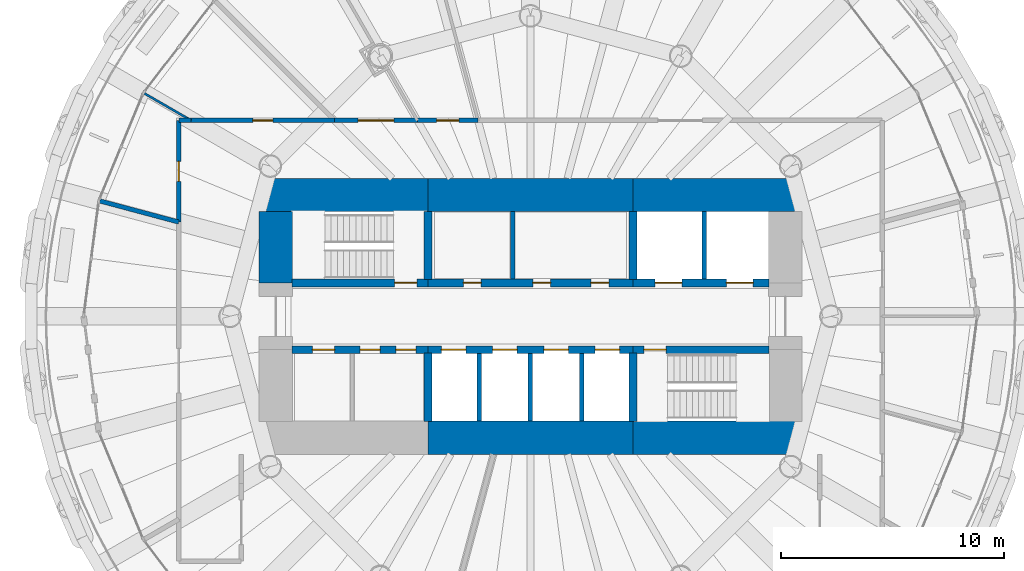
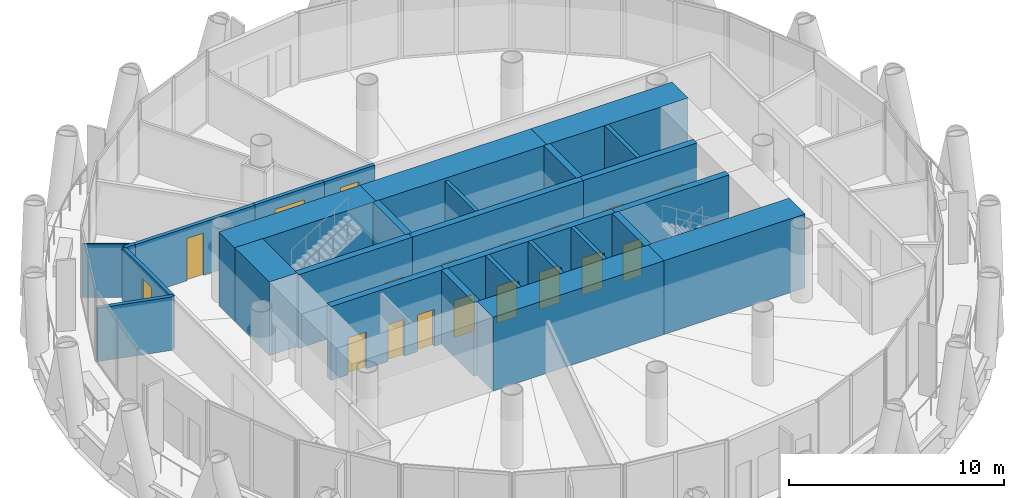
# One storey, part 10 of 15: 28 walls, 18 doors, 18 openings.
"""IFC4 building model written with IfcOpenShell, lengths in metres."""

from ifc_helpers import new_model, si_unit, direction, frame, frame_2d, origin, place, context, subcontext, project, spatial, rectangle, extrude, material, layer, layer_set, type_object, element, fill, save


model = new_model("IFC4")

# Units and contexts
model_context = context("Model", 3, precision=1e-05, world=origin(), true_north=direction((0.0, 1.0)))
body_context = subcontext(model_context, "Body", "Model", "MODEL_VIEW")
ifc_project = project(units=[si_unit("LENGTHUNIT", "METRE"), si_unit("AREAUNIT", "SQUARE_METRE"), si_unit("VOLUMEUNIT", "CUBIC_METRE"), si_unit("PLANEANGLEUNIT", "RADIAN"), si_unit("MASSUNIT", "GRAM", prefix="KILO")], contexts=[model_context])

# Site, building, storey
site_placement = place(None, origin())
site = spatial("IfcSite", under=ifc_project, at=site_placement, CompositionType="ELEMENT")
building_placement = place(site_placement, origin())
building = spatial("IfcBuilding", under=site, at=building_placement, Name="Qaws Media Tower", CompositionType="ELEMENT")
storey_placement = place(building_placement, frame((0.0, 0.0, 231.800048828125)))
storey = spatial("IfcBuildingStorey", under=building, at=storey_placement, Name="L53", CompositionType="ELEMENT", Elevation=231.800048828125)

# Wall, opening, door
ifc_material_1 = material(Name="Concrete C60/75", Category="concrete")
ifc_layer_1 = layer(ifc_material_1, 0.35009765625)
ifc_layer_set_1 = layer_set([ifc_layer_1], Name="Core inner wall 350")
wall_type_1 = type_object("IfcWallType", Name="Core inner wall 350", PredefinedType="SHEAR", material=ifc_layer_set_1)
wall_1_placement = place(storey_placement, frame((49.280029296875, 51.5, 0.0), z_axis=(0.0, 0.0, 1.0), x_axis=(1.0, 0.0, 0.0)))
wall_1 = element("IfcWall", 1, at=wall_1_placement, inside=storey, type_object=wall_type_1, Name="W301 SW5 core wall SPNW L53", PredefinedType="SHEAR", context=body_context, shape_type="SweptSolid", body=[
    extrude(rectangle(XDim=6.119873046875, YDim=0.35009765625, at=frame_2d((3.06005859375, 0.0))), origin(), (0.0, 0.0, 1.0), 4.199951171875),
])
opening_1_placement = place(wall_1_placement, frame((4.6201171875, 0.0, 0.0)))
opening_1 = element("IfcOpeningElement", 2, at=opening_1_placement, cuts=wall_1, Name="Opening D1", PredefinedType="OPENING", context=body_context, shape_type="SweptSolid", body=[
    extrude(rectangle(XDim=1.0, YDim=2.10009765625, at=frame_2d((0.5, 1.050048828125))), frame((0.0, 0.18505859375, 0.0), z_axis=(0.0, -1.0, 0.0), x_axis=(1.0, 0.0, 0.0)), (0.0, 0.0, 1.0), 0.3701171875),
])
ifc_material_2 = material(Name="Steel, fire rated", Category="steel")
door_type_1 = type_object("IfcDoorType", Name="Stair door 1000 FD120", OperationType="SINGLE_SWING_LEFT", PredefinedType="DOOR", material=ifc_material_2)
door_1_placement = place(opening_1_placement, origin())
door_1 = element("IfcDoor", 3, at=door_1_placement, inside=storey, type_object=door_type_1, Name="D1 stair S1 door L53 in wall W301", OperationType="SINGLE_SWING_LEFT", OverallHeight=2.10009765625, OverallWidth=1.0, PredefinedType="DOOR", context=body_context, shape_type="SweptSolid", body=[
    extrude(rectangle(XDim=1.0, YDim=2.10009765625, at=frame_2d((0.5, 1.050048828125))), frame((0.0, 0.02490234375, 0.0), z_axis=(0.0, -1.0, 0.0), x_axis=(1.0, 0.0, 0.0)), (0.0, 0.0, 1.0), 0.050048828125),
])
fill(opening_1, door_1)

# Wall, openings, doors
wall_2_placement = place(storey_placement, frame((55.39990234375, 51.5, 0.0), z_axis=(0.0, 0.0, 1.0), x_axis=(1.0, 0.0, 0.0)))
wall_2 = element("IfcWall", 4, at=wall_2_placement, inside=storey, type_object=wall_type_1, Name="W304 SW5 core wall SPN L53", PredefinedType="SHEAR", context=body_context, shape_type="SweptSolid", body=[
    extrude(rectangle(XDim=9.2001953125, YDim=0.35009765625, at=frame_2d((4.60009765625, 0.0))), origin(), (0.0, 0.0, 1.0), 4.199951171875),
])
opening_2_placement = place(wall_2_placement, frame((1.585205078125, 0.0, 0.0)))
opening_2 = element("IfcOpeningElement", 5, at=opening_2_placement, cuts=wall_2, Name="Opening D23", PredefinedType="OPENING", context=body_context, shape_type="SweptSolid", body=[
    extrude(rectangle(XDim=0.800048828125, YDim=2.10009765625, at=frame_2d((0.39990234375, 1.050048828125))), frame((0.0, 0.18505859375, 0.0), z_axis=(0.0, -1.0, 0.0), x_axis=(1.0, 0.0, 0.0)), (0.0, 0.0, 1.0), 0.3701171875),
])
opening_3_placement = place(wall_2_placement, frame((4.702880859375, 0.0, 0.0)))
opening_3 = element("IfcOpeningElement", 6, at=opening_3_placement, cuts=wall_2, Name="Opening D23", PredefinedType="OPENING", context=body_context, shape_type="SweptSolid", body=[
    extrude(rectangle(XDim=0.800048828125, YDim=2.10009765625, at=frame_2d((0.39990234375, 1.050048828125))), frame((0.0, 0.18505859375, 0.0), z_axis=(0.0, -1.0, 0.0), x_axis=(1.0, 0.0, 0.0)), (0.0, 0.0, 1.0), 0.3701171875),
])
opening_4_placement = place(wall_2_placement, frame((7.317626953125, 0.0, 0.0)))
opening_4 = element("IfcOpeningElement", 7, at=opening_4_placement, cuts=wall_2, Name="Opening D23", PredefinedType="OPENING", context=body_context, shape_type="SweptSolid", body=[
    extrude(rectangle(XDim=0.800048828125, YDim=2.10009765625, at=frame_2d((0.39990234375, 1.050048828125))), frame((0.0, 0.18505859375, 0.0), z_axis=(0.0, -1.0, 0.0), x_axis=(1.0, 0.0, 0.0)), (0.0, 0.0, 1.0), 0.3701171875),
])
ifc_material_3 = material(Name="Steel, fire rated", Category="steel")
door_type_2 = type_object("IfcDoorType", Name="Core room door 800x2100", OperationType="SINGLE_SWING_LEFT", PredefinedType="DOOR", material=ifc_material_3)
door_2_placement = place(opening_2_placement, origin())
door_2 = element("IfcDoor", 8, at=door_2_placement, inside=storey, type_object=door_type_2, Name="D23 Ladies toilets door L53 in wall W304", OperationType="SINGLE_SWING_LEFT", OverallHeight=2.10009765625, OverallWidth=0.800048828125, PredefinedType="DOOR", context=body_context, shape_type="SweptSolid", body=[
    extrude(rectangle(XDim=0.800048828125, YDim=2.10009765625, at=frame_2d((0.39990234375, 1.050048828125))), frame((0.0, 0.02490234375, 0.0), z_axis=(0.0, -1.0, 0.0), x_axis=(1.0, 0.0, 0.0)), (0.0, 0.0, 1.0), 0.050048828125),
])
fill(opening_2, door_2)
door_3_placement = place(opening_3_placement, origin())
door_3 = element("IfcDoor", 9, at=door_3_placement, inside=storey, type_object=door_type_2, Name="D23 Gents toilets door L53 2 in wall W304", OperationType="SINGLE_SWING_LEFT", OverallHeight=2.10009765625, OverallWidth=0.800048828125, PredefinedType="DOOR", context=body_context, shape_type="SweptSolid", body=[
    extrude(rectangle(XDim=0.800048828125, YDim=2.10009765625, at=frame_2d((0.39990234375, 1.050048828125))), frame((0.0, 0.02490234375, 0.0), z_axis=(0.0, -1.0, 0.0), x_axis=(1.0, 0.0, 0.0)), (0.0, 0.0, 1.0), 0.050048828125),
])
fill(opening_3, door_3)
door_4_placement = place(opening_4_placement, origin())
door_4 = element("IfcDoor", 10, at=door_4_placement, inside=storey, type_object=door_type_2, Name="D23 Gents toilets door L53 3 in wall W304", OperationType="SINGLE_SWING_LEFT", OverallHeight=2.10009765625, OverallWidth=0.800048828125, PredefinedType="DOOR", context=body_context, shape_type="SweptSolid", body=[
    extrude(rectangle(XDim=0.800048828125, YDim=2.10009765625, at=frame_2d((0.39990234375, 1.050048828125))), frame((0.0, 0.02490234375, 0.0), z_axis=(0.0, -1.0, 0.0), x_axis=(1.0, 0.0, 0.0)), (0.0, 0.0, 1.0), 0.050048828125),
])
fill(opening_4, door_4)

wall_3_placement = place(storey_placement, frame((64.60009765625, 51.5, 0.0), z_axis=(0.0, 0.0, 1.0), x_axis=(1.0, 0.0, 0.0)))
wall_3 = element("IfcWall", 11, at=wall_3_placement, inside=storey, type_object=wall_type_1, Name="W308 SW5 core wall SPNE L53", PredefinedType="SHEAR", context=body_context, shape_type="SweptSolid", body=[
    extrude(rectangle(XDim=6.119873046875, YDim=0.35009765625, at=frame_2d((3.06005859375, 0.0))), origin(), (0.0, 0.0, 1.0), 4.199951171875),
])
opening_5_placement = place(wall_3_placement, frame((1.0, 0.0, 0.0)))
opening_5 = element("IfcOpeningElement", 12, at=opening_5_placement, cuts=wall_3, Name="Opening LD2", PredefinedType="OPENING", context=body_context, shape_type="SweptSolid", body=[
    extrude(rectangle(XDim=1.199951171875, YDim=2.10009765625, at=frame_2d((0.60009765625, 1.050048828125))), frame((0.0, 0.18505859375, 0.0), z_axis=(0.0, -1.0, 0.0), x_axis=(1.0, 0.0, 0.0)), (0.0, 0.0, 1.0), 0.3701171875),
])
opening_6_placement = place(wall_3_placement, frame((4.199951171875, 0.0, 0.0)))
opening_6 = element("IfcOpeningElement", 13, at=opening_6_placement, cuts=wall_3, Name="Opening LD2", PredefinedType="OPENING", context=body_context, shape_type="SweptSolid", body=[
    extrude(rectangle(XDim=1.199951171875, YDim=2.10009765625, at=frame_2d((0.60009765625, 1.050048828125))), frame((0.0, 0.18505859375, 0.0), z_axis=(0.0, -1.0, 0.0), x_axis=(1.0, 0.0, 0.0)), (0.0, 0.0, 1.0), 0.3701171875),
])
ifc_material_4 = material(Name="Steel, fire rated", Category="steel")
door_type_3 = type_object("IfcDoorType", Name="Lift landing door 1200", OperationType="SLIDING_TO_LEFT", PredefinedType="DOOR", material=ifc_material_4)
door_5_placement = place(opening_5_placement, origin())
door_5 = element("IfcDoor", 14, at=door_5_placement, inside=storey, type_object=door_type_3, Name="FL1 landing door L53 in wall W308", OperationType="SLIDING_TO_LEFT", OverallHeight=2.10009765625, OverallWidth=1.199951171875, PredefinedType="DOOR", context=body_context, shape_type="SweptSolid", body=[
    extrude(rectangle(XDim=1.199951171875, YDim=2.10009765625, at=frame_2d((0.60009765625, 1.050048828125))), frame((0.0, 0.02490234375, 0.0), z_axis=(0.0, -1.0, 0.0), x_axis=(1.0, 0.0, 0.0)), (0.0, 0.0, 1.0), 0.050048828125),
])
fill(opening_5, door_5)
door_6_placement = place(opening_6_placement, origin())
door_6 = element("IfcDoor", 15, at=door_6_placement, inside=storey, type_object=door_type_3, Name="FL2 landing door L53 in wall W308", OperationType="SLIDING_TO_LEFT", OverallHeight=2.10009765625, OverallWidth=1.199951171875, PredefinedType="DOOR", context=body_context, shape_type="SweptSolid", body=[
    extrude(rectangle(XDim=1.199951171875, YDim=2.10009765625, at=frame_2d((0.60009765625, 1.050048828125))), frame((0.0, 0.02490234375, 0.0), z_axis=(0.0, -1.0, 0.0), x_axis=(1.0, 0.0, 0.0)), (0.0, 0.0, 1.0), 0.050048828125),
])
fill(opening_6, door_6)

wall_4_placement = place(storey_placement, frame((49.280029296875, 48.5, 0.0), z_axis=(0.0, 0.0, 1.0), x_axis=(1.0, 0.0, 0.0)))
wall_4 = element("IfcWall", 16, at=wall_4_placement, inside=storey, type_object=wall_type_1, Name="W300 SW5 core wall SPSW L53", PredefinedType="SHEAR", context=body_context, shape_type="SweptSolid", body=[
    extrude(rectangle(XDim=6.119873046875, YDim=0.35009765625, at=frame_2d((3.06005859375, 0.0))), origin(), (0.0, 0.0, 1.0), 4.199951171875),
])
opening_7_placement = place(wall_4_placement, frame((0.919921875, 0.0, 0.0)))
opening_7 = element("IfcOpeningElement", 17, at=opening_7_placement, cuts=wall_4, Name="Opening D4", PredefinedType="OPENING", context=body_context, shape_type="SweptSolid", body=[
    extrude(rectangle(XDim=1.0, YDim=2.10009765625, at=frame_2d((0.5, 1.050048828125))), frame((0.0, 0.18505859375, 0.0), z_axis=(0.0, -1.0, 0.0), x_axis=(1.0, 0.0, 0.0)), (0.0, 0.0, 1.0), 0.3701171875),
])
opening_8_placement = place(wall_4_placement, frame((3.070068359375, 0.0, 0.0)))
opening_8 = element("IfcOpeningElement", 18, at=opening_8_placement, cuts=wall_4, Name="Opening D3", PredefinedType="OPENING", context=body_context, shape_type="SweptSolid", body=[
    extrude(rectangle(XDim=0.89990234375, YDim=2.10009765625, at=frame_2d((0.449951171875, 1.050048828125))), frame((0.0, 0.18505859375, 0.0), z_axis=(0.0, -1.0, 0.0), x_axis=(1.0, 0.0, 0.0)), (0.0, 0.0, 1.0), 0.3701171875),
])
opening_9_placement = place(wall_4_placement, frame((4.669921875, 0.0, 0.0)))
opening_9 = element("IfcOpeningElement", 19, at=opening_9_placement, cuts=wall_4, Name="Opening D3", PredefinedType="OPENING", context=body_context, shape_type="SweptSolid", body=[
    extrude(rectangle(XDim=0.89990234375, YDim=2.10009765625, at=frame_2d((0.449951171875, 1.050048828125))), frame((0.0, 0.18505859375, 0.0), z_axis=(0.0, -1.0, 0.0), x_axis=(1.0, 0.0, 0.0)), (0.0, 0.0, 1.0), 0.3701171875),
])
ifc_material_5 = material(Name="Timber veneered", Category="wood")
door_type_4 = type_object("IfcDoorType", Name="Accessible WC door 1000", OperationType="SLIDING_TO_LEFT", PredefinedType="DOOR", material=ifc_material_5)
door_7_placement = place(opening_7_placement, origin())
door_7 = element("IfcDoor", 20, at=door_7_placement, inside=storey, type_object=door_type_4, Name="D4 toilet door 1 L53 in wall W300", OperationType="SLIDING_TO_LEFT", OverallHeight=2.10009765625, OverallWidth=1.0, PredefinedType="DOOR", context=body_context, shape_type="SweptSolid", body=[
    extrude(rectangle(XDim=1.0, YDim=2.10009765625, at=frame_2d((0.5, 1.050048828125))), frame((0.0, 0.02490234375, 0.0), z_axis=(0.0, -1.0, 0.0), x_axis=(1.0, 0.0, 0.0)), (0.0, 0.0, 1.0), 0.050048828125),
])
fill(opening_7, door_7)
ifc_material_6 = material(Name="Timber veneered", Category="wood")
door_type_5 = type_object("IfcDoorType", Name="Toilet door 900", OperationType="SINGLE_SWING_RIGHT", PredefinedType="DOOR", material=ifc_material_6)
door_8_placement = place(opening_8_placement, origin())
door_8 = element("IfcDoor", 21, at=door_8_placement, inside=storey, type_object=door_type_5, Name="D3 toilet door 2 L53 in wall W300", OperationType="SINGLE_SWING_RIGHT", OverallHeight=2.10009765625, OverallWidth=0.89990234375, PredefinedType="DOOR", context=body_context, shape_type="SweptSolid", body=[
    extrude(rectangle(XDim=0.89990234375, YDim=2.10009765625, at=frame_2d((0.449951171875, 1.050048828125))), frame((0.0, 0.02490234375, 0.0), z_axis=(0.0, -1.0, 0.0), x_axis=(1.0, 0.0, 0.0)), (0.0, 0.0, 1.0), 0.050048828125),
])
fill(opening_8, door_8)
door_9_placement = place(opening_9_placement, origin())
door_9 = element("IfcDoor", 22, at=door_9_placement, inside=storey, type_object=door_type_5, Name="D3 toilet door 3 L53 in wall W300", OperationType="SINGLE_SWING_RIGHT", OverallHeight=2.10009765625, OverallWidth=0.89990234375, PredefinedType="DOOR", context=body_context, shape_type="SweptSolid", body=[
    extrude(rectangle(XDim=0.89990234375, YDim=2.10009765625, at=frame_2d((0.449951171875, 1.050048828125))), frame((0.0, 0.02490234375, 0.0), z_axis=(0.0, -1.0, 0.0), x_axis=(1.0, 0.0, 0.0)), (0.0, 0.0, 1.0), 0.050048828125),
])
fill(opening_9, door_9)

wall_5_placement = place(storey_placement, frame((55.39990234375, 48.5, 0.0), z_axis=(0.0, 0.0, 1.0), x_axis=(1.0, 0.0, 0.0)))
wall_5 = element("IfcWall", 23, at=wall_5_placement, inside=storey, type_object=wall_type_1, Name="W303 SW5 core wall SPS L53", PredefinedType="SHEAR", context=body_context, shape_type="SweptSolid", body=[
    extrude(rectangle(XDim=9.2001953125, YDim=0.35009765625, at=frame_2d((4.60009765625, 0.0))), origin(), (0.0, 0.0, 1.0), 4.199951171875),
])
opening_10_placement = place(wall_5_placement, frame((0.60009765625, 0.0, 0.0)))
opening_10 = element("IfcOpeningElement", 24, at=opening_10_placement, cuts=wall_5, Name="Opening LD", PredefinedType="OPENING", context=body_context, shape_type="SweptSolid", body=[
    extrude(rectangle(XDim=1.10009765625, YDim=2.10009765625, at=frame_2d((0.550048828125, 1.050048828125))), frame((0.0, 0.18505859375, 0.0), z_axis=(0.0, -1.0, 0.0), x_axis=(1.0, 0.0, 0.0)), (0.0, 0.0, 1.0), 0.3701171875),
])
opening_11_placement = place(wall_5_placement, frame((2.89990234375, 0.0, 0.0)))
opening_11 = element("IfcOpeningElement", 25, at=opening_11_placement, cuts=wall_5, Name="Opening LD", PredefinedType="OPENING", context=body_context, shape_type="SweptSolid", body=[
    extrude(rectangle(XDim=1.10009765625, YDim=2.10009765625, at=frame_2d((0.550048828125, 1.050048828125))), frame((0.0, 0.18505859375, 0.0), z_axis=(0.0, -1.0, 0.0), x_axis=(1.0, 0.0, 0.0)), (0.0, 0.0, 1.0), 0.3701171875),
])
opening_12_placement = place(wall_5_placement, frame((5.199951171875, 0.0, 0.0)))
opening_12 = element("IfcOpeningElement", 26, at=opening_12_placement, cuts=wall_5, Name="Opening LD", PredefinedType="OPENING", context=body_context, shape_type="SweptSolid", body=[
    extrude(rectangle(XDim=1.10009765625, YDim=2.10009765625, at=frame_2d((0.550048828125, 1.050048828125))), frame((0.0, 0.18505859375, 0.0), z_axis=(0.0, -1.0, 0.0), x_axis=(1.0, 0.0, 0.0)), (0.0, 0.0, 1.0), 0.3701171875),
])
opening_13_placement = place(wall_5_placement, frame((7.5, 0.0, 0.0)))
opening_13 = element("IfcOpeningElement", 27, at=opening_13_placement, cuts=wall_5, Name="Opening LD", PredefinedType="OPENING", context=body_context, shape_type="SweptSolid", body=[
    extrude(rectangle(XDim=1.10009765625, YDim=2.10009765625, at=frame_2d((0.550048828125, 1.050048828125))), frame((0.0, 0.18505859375, 0.0), z_axis=(0.0, -1.0, 0.0), x_axis=(1.0, 0.0, 0.0)), (0.0, 0.0, 1.0), 0.3701171875),
])
ifc_material_7 = material(Name="Steel, fire rated", Category="steel")
door_type_6 = type_object("IfcDoorType", Name="Lift landing door 1100", OperationType="SLIDING_TO_LEFT", PredefinedType="DOOR", material=ifc_material_7)
door_10_placement = place(opening_10_placement, origin())
door_10 = element("IfcDoor", 28, at=door_10_placement, inside=storey, type_object=door_type_6, Name="P5 landing door L53 in wall W303", OperationType="SLIDING_TO_LEFT", OverallHeight=2.10009765625, OverallWidth=1.10009765625, PredefinedType="DOOR", context=body_context, shape_type="SweptSolid", body=[
    extrude(rectangle(XDim=1.10009765625, YDim=2.10009765625, at=frame_2d((0.550048828125, 1.050048828125))), frame((0.0, 0.02490234375, 0.0), z_axis=(0.0, -1.0, 0.0), x_axis=(1.0, 0.0, 0.0)), (0.0, 0.0, 1.0), 0.050048828125),
])
fill(opening_10, door_10)
door_11_placement = place(opening_11_placement, origin())
door_11 = element("IfcDoor", 29, at=door_11_placement, inside=storey, type_object=door_type_6, Name="P6 landing door L53 in wall W303", OperationType="SLIDING_TO_LEFT", OverallHeight=2.10009765625, OverallWidth=1.10009765625, PredefinedType="DOOR", context=body_context, shape_type="SweptSolid", body=[
    extrude(rectangle(XDim=1.10009765625, YDim=2.10009765625, at=frame_2d((0.550048828125, 1.050048828125))), frame((0.0, 0.02490234375, 0.0), z_axis=(0.0, -1.0, 0.0), x_axis=(1.0, 0.0, 0.0)), (0.0, 0.0, 1.0), 0.050048828125),
])
fill(opening_11, door_11)
door_12_placement = place(opening_12_placement, origin())
door_12 = element("IfcDoor", 30, at=door_12_placement, inside=storey, type_object=door_type_6, Name="P7 landing door L53 in wall W303", OperationType="SLIDING_TO_LEFT", OverallHeight=2.10009765625, OverallWidth=1.10009765625, PredefinedType="DOOR", context=body_context, shape_type="SweptSolid", body=[
    extrude(rectangle(XDim=1.10009765625, YDim=2.10009765625, at=frame_2d((0.550048828125, 1.050048828125))), frame((0.0, 0.02490234375, 0.0), z_axis=(0.0, -1.0, 0.0), x_axis=(1.0, 0.0, 0.0)), (0.0, 0.0, 1.0), 0.050048828125),
])
fill(opening_12, door_12)
door_13_placement = place(opening_13_placement, origin())
door_13 = element("IfcDoor", 31, at=door_13_placement, inside=storey, type_object=door_type_6, Name="P8 landing door L53 in wall W303", OperationType="SLIDING_TO_LEFT", OverallHeight=2.10009765625, OverallWidth=1.10009765625, PredefinedType="DOOR", context=body_context, shape_type="SweptSolid", body=[
    extrude(rectangle(XDim=1.10009765625, YDim=2.10009765625, at=frame_2d((0.550048828125, 1.050048828125))), frame((0.0, 0.02490234375, 0.0), z_axis=(0.0, -1.0, 0.0), x_axis=(1.0, 0.0, 0.0)), (0.0, 0.0, 1.0), 0.050048828125),
])
fill(opening_13, door_13)

# Wall, opening, door
wall_6_placement = place(storey_placement, frame((64.60009765625, 48.5, 0.0), z_axis=(0.0, 0.0, 1.0), x_axis=(1.0, 0.0, 0.0)))
wall_6 = element("IfcWall", 32, at=wall_6_placement, inside=storey, type_object=wall_type_1, Name="W307 SW5 core wall SPSE L53", PredefinedType="SHEAR", context=body_context, shape_type="SweptSolid", body=[
    extrude(rectangle(XDim=6.119873046875, YDim=0.35009765625, at=frame_2d((3.06005859375, 0.0))), origin(), (0.0, 0.0, 1.0), 4.199951171875),
])
opening_14_placement = place(wall_6_placement, frame((0.5, 0.0, 0.0)))
opening_14 = element("IfcOpeningElement", 33, at=opening_14_placement, cuts=wall_6, Name="Opening D1", PredefinedType="OPENING", context=body_context, shape_type="SweptSolid", body=[
    extrude(rectangle(XDim=1.0, YDim=2.10009765625, at=frame_2d((0.5, 1.050048828125))), frame((0.0, 0.18505859375, 0.0), z_axis=(0.0, -1.0, 0.0), x_axis=(1.0, 0.0, 0.0)), (0.0, 0.0, 1.0), 0.3701171875),
])
door_14_placement = place(opening_14_placement, origin())
door_14 = element("IfcDoor", 34, at=door_14_placement, inside=storey, type_object=door_type_1, Name="D1 stair S2 door L53 in wall W307", OperationType="SINGLE_SWING_LEFT", OverallHeight=2.10009765625, OverallWidth=1.0, PredefinedType="DOOR", context=body_context, shape_type="SweptSolid", body=[
    extrude(rectangle(XDim=1.0, YDim=2.10009765625, at=frame_2d((0.5, 1.050048828125))), frame((0.0, 0.02490234375, 0.0), z_axis=(0.0, -1.0, 0.0), x_axis=(1.0, 0.0, 0.0)), (0.0, 0.0, 1.0), 0.050048828125),
])
fill(opening_14, door_14)

# Walls
for number, where, z_axis, x_axis, name in (
    (35, (55.39990234375, 51.655029296875, 0.0), (0.0, 0.0, 1.0), (0.0, 1.0, 0.0), "W305 SW5 core wall XNW L53"),
    (36, (64.60009765625, 51.655029296875, 0.0), (0.0, 0.0, 1.0), (0.0, 1.0, 0.0), "W309 SW5 core wall XNE L53"),
    (37, (55.39990234375, 48.344970703125, 0.0), (0.0, 0.0, 1.0), (0.0, -1.0, 0.0), "W302 SW5 core wall XSW L53"),
    (38, (64.60009765625, 48.344970703125, 0.0), (0.0, 0.0, 1.0), (0.0, -1.0, 0.0), "W306 SW5 core wall XSE L53"),
):
    element("IfcWall", number, at=place(storey_placement, frame(where, z_axis=z_axis, x_axis=x_axis)), inside=storey, type_object=wall_type_1, Name=name, PredefinedType="SHEAR", context=body_context, shape_type="SweptSolid", body=[
        extrude(rectangle(XDim=3.06494140625, YDim=0.35009765625, at=frame_2d((1.532470703125, 0.0))), origin(), (0.0, 0.0, 1.0), 4.199951171875),
    ])
ifc_material_8 = material(Name="Concrete C60/75", Category="concrete")
ifc_layer_2 = layer(ifc_material_8, 1.5)
ifc_layer_set_2 = layer_set([ifc_layer_2], Name="Core wall 1500")
wall_type_2 = type_object("IfcWallType", Name="Core wall 1500", PredefinedType="SHEAR", material=ifc_layer_set_2)
wall_7_placement = place(storey_placement, frame((47.800048828125, 55.449951171875, 0.0), z_axis=(0.0, 0.0, 1.0), x_axis=(1.0, 0.0, 0.0)))
element("IfcWall", 39, at=wall_7_placement, inside=storey, type_object=wall_type_2, Name="W377 SW13 core wall NW L53", PredefinedType="SHEAR", context=body_context, shape_type="SweptSolid", body=[
    extrude(rectangle(XDim=7.599853515625, YDim=1.5, at=frame_2d((3.7998046875, 0.0))), origin(), (0.0, 0.0, 1.0), 4.199951171875),
])
wall_8_placement = place(storey_placement, frame((55.39990234375, 55.449951171875, 0.0), z_axis=(0.0, 0.0, 1.0), x_axis=(1.0, 0.0, 0.0)))
element("IfcWall", 40, at=wall_8_placement, inside=storey, type_object=wall_type_2, Name="W373 SW13 core wall N L53", PredefinedType="SHEAR", context=body_context, shape_type="SweptSolid", body=[
    extrude(rectangle(XDim=9.2001953125, YDim=1.5, at=frame_2d((4.60009765625, 0.0))), origin(), (0.0, 0.0, 1.0), 4.199951171875),
])
wall_9_placement = place(storey_placement, frame((64.60009765625, 55.449951171875, 0.0), z_axis=(0.0, 0.0, 1.0), x_axis=(1.0, 0.0, 0.0)))
element("IfcWall", 41, at=wall_9_placement, inside=storey, type_object=wall_type_2, Name="W382 SW13 core wall NE L53", PredefinedType="SHEAR", context=body_context, shape_type="SweptSolid", body=[
    extrude(rectangle(XDim=7.599853515625, YDim=1.5, at=frame_2d((3.7998046875, 0.0))), origin(), (0.0, 0.0, 1.0), 4.199951171875),
])
wall_10_placement = place(storey_placement, frame((55.39990234375, 44.550048828125, 0.0), z_axis=(0.0, 0.0, 1.0), x_axis=(1.0, 0.0, 0.0)))
element("IfcWall", 42, at=wall_10_placement, inside=storey, type_object=wall_type_2, Name="W372 SW13 core wall S L53", PredefinedType="SHEAR", context=body_context, shape_type="SweptSolid", body=[
    extrude(rectangle(XDim=9.2001953125, YDim=1.5, at=frame_2d((4.60009765625, 0.0))), origin(), (0.0, 0.0, 1.0), 4.199951171875),
])
wall_11_placement = place(storey_placement, frame((64.60009765625, 44.550048828125, 0.0), z_axis=(0.0, 0.0, 1.0), x_axis=(1.0, 0.0, 0.0)))
element("IfcWall", 43, at=wall_11_placement, inside=storey, type_object=wall_type_2, Name="W381 SW13 core wall SE L53", PredefinedType="SHEAR", context=body_context, shape_type="SweptSolid", body=[
    extrude(rectangle(XDim=7.599853515625, YDim=1.5, at=frame_2d((3.7998046875, 0.0))), origin(), (0.0, 0.0, 1.0), 4.199951171875),
])
wall_12_placement = place(storey_placement, frame((48.550048828125, 51.5, 0.0), z_axis=(0.0, 0.0, 1.0), x_axis=(0.0, 1.0, 0.0)))
element("IfcWall", 44, at=wall_12_placement, inside=storey, type_object=wall_type_2, Name="W380 SW13 core wall WN L53", PredefinedType="SHEAR", context=body_context, shape_type="SweptSolid", body=[
    extrude(rectangle(XDim=3.219970703125, YDim=1.5, at=frame_2d((1.60986328125, 0.0))), origin(), (0.0, 0.0, 1.0), 4.199951171875),
])
ifc_material_9 = material(Name="Gypsum board on 70 metal studs, single layer each side", Category="gypsum")
ifc_layer_3 = layer(ifc_material_9, 0.10009765625)
ifc_layer_set_3 = layer_set([ifc_layer_3], Name="Office stud partition 100")
wall_type_3 = type_object("IfcWallType", Name="Office stud partition 100", PredefinedType="PARTITIONING", material=ifc_layer_set_3)
wall_13_placement = place(storey_placement, frame((44.758056640625, 58.800048828125, 0.0), z_axis=(0.0, 0.0, 1.0), x_axis=(-0.866031986241, 0.499988598678, 0.0)))
element("IfcWall", 45, at=wall_13_placement, inside=storey, type_object=wall_type_3, Name="W694 IW4 partition L53", PredefinedType="PARTITIONING", context=body_context, shape_type="SweptSolid", body=[
    extrude(rectangle(XDim=2.43505859375, YDim=0.10009765625, at=frame_2d((1.217529296875, 0.0))), origin(), (0.0, 0.0, 1.0), 3.0400390625),
])
ifc_material_10 = material(Name="Gypsum board on galvanised metal studs, acoustic double stud, deflection head", Category="gypsum")
ifc_layer_4 = layer(ifc_material_10, 0.199951171875)
ifc_layer_set_4 = layer_set([ifc_layer_4], Name="Room partition 200")
wall_type_4 = type_object("IfcWallType", Name="Room partition 200", PredefinedType="PARTITIONING", material=ifc_layer_set_4)
wall_14_placement = place(storey_placement, frame((44.199951171875, 58.800048828125, 0.0), z_axis=(0.0, 0.0, 1.0), x_axis=(1.0, 0.0, 0.0)))
element("IfcWall", 46, at=wall_14_placement, inside=storey, type_object=wall_type_4, Name="W1628 IW3 partition L53", PredefinedType="PARTITIONING", context=body_context, shape_type="SweptSolid", body=[
    extrude(rectangle(XDim=0.55810546875, YDim=0.199951171875, at=frame_2d((0.279052734375, 0.0))), origin(), (0.0, 0.0, 1.0), 3.0400390625),
])

# Wall, opening, door
wall_15_placement = place(storey_placement, frame((44.758056640625, 58.800048828125, 0.0), z_axis=(0.0, 0.0, 1.0), x_axis=(1.0, 0.0, 0.0)))
wall_15 = element("IfcWall", 47, at=wall_15_placement, inside=storey, type_object=wall_type_4, Name="W1615 IW3 partition L53", PredefinedType="PARTITIONING", context=body_context, shape_type="SweptSolid", body=[
    extrude(rectangle(XDim=6.44189453125, YDim=0.199951171875, at=frame_2d((3.220947265625, 0.0))), origin(), (0.0, 0.0, 1.0), 3.02001953125),
])
opening_15_placement = place(wall_15_placement, frame((2.77099609375, 0.0, 0.0)))
opening_15 = element("IfcOpeningElement", 48, at=opening_15_placement, cuts=wall_15, Name="Opening D12", PredefinedType="OPENING", context=body_context, shape_type="SweptSolid", body=[
    extrude(rectangle(XDim=0.89990234375, YDim=2.39990234375, at=frame_2d((0.449951171875, 1.199951171875))), frame((0.0, 0.10986328125, 0.0), z_axis=(0.0, -1.0, 0.0), x_axis=(1.0, 0.0, 0.0)), (0.0, 0.0, 1.0), 0.219970703125),
])
ifc_material_11 = material(Name="Timber veneered, full height", Category="wood")
door_type_7 = type_object("IfcDoorType", Name="Office door 900x2400", OperationType="SINGLE_SWING_LEFT", PredefinedType="DOOR", material=ifc_material_11)
door_15_placement = place(opening_15_placement, origin())
door_15 = element("IfcDoor", 49, at=door_15_placement, inside=storey, type_object=door_type_7, Name="D12 Office door L53 in wall W1615", OperationType="SINGLE_SWING_LEFT", OverallHeight=2.39990234375, OverallWidth=0.89990234375, PredefinedType="DOOR", context=body_context, shape_type="SweptSolid", body=[
    extrude(rectangle(XDim=0.89990234375, YDim=2.39990234375, at=frame_2d((0.449951171875, 1.199951171875))), frame((0.0, 0.02490234375, 0.0), z_axis=(0.0, -1.0, 0.0), x_axis=(1.0, 0.0, 0.0)), (0.0, 0.0, 1.0), 0.050048828125),
])
fill(opening_15, door_15)

wall_16_placement = place(storey_placement, frame((51.199951171875, 58.800048828125, 0.0), z_axis=(0.0, 0.0, 1.0), x_axis=(1.0, 0.0, 0.0)))
wall_16 = element("IfcWall", 50, at=wall_16_placement, inside=storey, type_object=wall_type_4, Name="W1529 IW3 partition L53", PredefinedType="PARTITIONING", context=body_context, shape_type="SweptSolid", body=[
    extrude(rectangle(XDim=3.71923828125, YDim=0.199951171875, at=frame_2d((1.859619140625, 0.0))), origin(), (0.0, 0.0, 1.0), 3.0400390625),
])
opening_16_placement = place(wall_16_placement, frame((1.059814453125, 0.0, 0.0)))
opening_16 = element("IfcOpeningElement", 51, at=opening_16_placement, cuts=wall_16, Name="Opening D16", PredefinedType="OPENING", context=body_context, shape_type="SweptSolid", body=[
    extrude(rectangle(XDim=1.60009765625, YDim=2.39990234375, at=frame_2d((0.800048828125, 1.199951171875))), frame((0.0, 0.10986328125, 0.0), z_axis=(0.0, -1.0, 0.0), x_axis=(1.0, 0.0, 0.0)), (0.0, 0.0, 1.0), 0.219970703125),
])
ifc_material_12 = material(Name="Glazed aluminium, fire rated", Category="aluminium")
door_type_8 = type_object("IfcDoorType", Name="Tenant entrance door pair 1600x2400", OperationType="DOUBLE_DOOR_DOUBLE_SWING", PredefinedType="DOOR", material=ifc_material_12)
door_16_placement = place(opening_16_placement, origin())
door_16 = element("IfcDoor", 52, at=door_16_placement, inside=storey, type_object=door_type_8, Name="D16 Tenant reception door L53 in wall W1529", OperationType="DOUBLE_DOOR_DOUBLE_SWING", OverallHeight=2.39990234375, OverallWidth=1.60009765625, PredefinedType="DOOR", context=body_context, shape_type="SweptSolid", body=[
    extrude(rectangle(XDim=1.60009765625, YDim=2.39990234375, at=frame_2d((0.800048828125, 1.199951171875))), frame((0.0, 0.02490234375, 0.0), z_axis=(0.0, -1.0, 0.0), x_axis=(1.0, 0.0, 0.0)), (0.0, 0.0, 1.0), 0.050048828125),
])
fill(opening_16, door_16)

wall_17_placement = place(storey_placement, frame((54.919189453125, 58.800048828125, 0.0), z_axis=(0.0, 0.0, 1.0), x_axis=(1.0, 0.0, 0.0)))
wall_17 = element("IfcWall", 53, at=wall_17_placement, inside=storey, type_object=wall_type_4, Name="W1617 IW3 partition L53", PredefinedType="PARTITIONING", context=body_context, shape_type="SweptSolid", body=[
    extrude(rectangle(XDim=2.722900390625, YDim=0.199951171875, at=frame_2d((1.361328125, 0.0))), origin(), (0.0, 0.0, 1.0), 3.0400390625),
])
opening_17_placement = place(wall_17_placement, frame((0.861328125, 0.0, 0.0)))
opening_17 = element("IfcOpeningElement", 54, at=opening_17_placement, cuts=wall_17, Name="Opening D13", PredefinedType="OPENING", context=body_context, shape_type="SweptSolid", body=[
    extrude(rectangle(XDim=1.0, YDim=2.39990234375, at=frame_2d((0.5, 1.199951171875))), frame((0.0, 0.10986328125, 0.0), z_axis=(0.0, -1.0, 0.0), x_axis=(1.0, 0.0, 0.0)), (0.0, 0.0, 1.0), 0.219970703125),
])
ifc_material_13 = material(Name="Frameless toughened glass, acoustic seals", Category="glass")
door_type_9 = type_object("IfcDoorType", Name="Glazed meeting room door 1000x2400", OperationType="SINGLE_SWING_LEFT", PredefinedType="DOOR", material=ifc_material_13)
door_17_placement = place(opening_17_placement, origin())
door_17 = element("IfcDoor", 55, at=door_17_placement, inside=storey, type_object=door_type_9, Name="D13 Meeting room door L53 in wall W1617", OperationType="SINGLE_SWING_LEFT", OverallHeight=2.39990234375, OverallWidth=1.0, PredefinedType="DOOR", context=body_context, shape_type="SweptSolid", body=[
    extrude(rectangle(XDim=1.0, YDim=2.39990234375, at=frame_2d((0.5, 1.199951171875))), frame((0.0, 0.02490234375, 0.0), z_axis=(0.0, -1.0, 0.0), x_axis=(1.0, 0.0, 0.0)), (0.0, 0.0, 1.0), 0.050048828125),
])
fill(opening_17, door_17)

wall_18_placement = place(storey_placement, frame((44.199951171875, 54.233642578125, 0.0), z_axis=(0.0, 0.0, 1.0), x_axis=(0.0, 1.0, 0.0)))
wall_18 = element("IfcWall", 56, at=wall_18_placement, inside=storey, type_object=wall_type_4, Name="W1612 IW3 partition L53", PredefinedType="PARTITIONING", context=body_context, shape_type="SweptSolid", body=[
    extrude(rectangle(XDim=4.56640625, YDim=0.199951171875, at=frame_2d((2.283203125, 0.0))), origin(), (0.0, 0.0, 1.0), 3.02001953125),
])
opening_18_placement = place(wall_18_placement, frame((1.833251953125, 0.0, 0.0)))
opening_18 = element("IfcOpeningElement", 57, at=opening_18_placement, cuts=wall_18, Name="Opening D12", PredefinedType="OPENING", context=body_context, shape_type="SweptSolid", body=[
    extrude(rectangle(XDim=0.89990234375, YDim=2.39990234375, at=frame_2d((0.449951171875, 1.199951171875))), frame((0.0, 0.10986328125, 0.0), z_axis=(0.0, -1.0, 0.0), x_axis=(1.0, 0.0, 0.0)), (0.0, 0.0, 1.0), 0.219970703125),
])
door_18_placement = place(opening_18_placement, origin())
door_18 = element("IfcDoor", 58, at=door_18_placement, inside=storey, type_object=door_type_7, Name="D12 Office door L53 in wall W1612", OperationType="SINGLE_SWING_LEFT", OverallHeight=2.39990234375, OverallWidth=0.89990234375, PredefinedType="DOOR", context=body_context, shape_type="SweptSolid", body=[
    extrude(rectangle(XDim=0.89990234375, YDim=2.39990234375, at=frame_2d((0.449951171875, 1.199951171875))), frame((0.0, 0.02490234375, 0.0), z_axis=(0.0, -1.0, 0.0), x_axis=(1.0, 0.0, 0.0)), (0.0, 0.0, 1.0), 0.050048828125),
])
fill(opening_18, door_18)

# Walls
wall_19_placement = place(storey_placement, frame((44.197509765625, 54.234375, 0.0), z_axis=(0.0, 0.0, 1.0), x_axis=(-0.965942121458, 0.258758223045, 0.0)))
element("IfcWall", 59, at=wall_19_placement, inside=storey, type_object=wall_type_4, Name="W1627 IW3 partition L53", PredefinedType="PARTITIONING", context=body_context, shape_type="SweptSolid", body=[
    extrude(rectangle(XDim=3.675048828125, YDim=0.199951171875, at=frame_2d((1.83740234375, 0.0))), origin(), (0.0, 0.0, 1.0), 3.0400390625),
])
wall_20_placement = place(storey_placement, frame((59.195556640625, 51.675048828125, 0.0), z_axis=(0.0, 0.0, 1.0), x_axis=(0.0, 1.0, 0.0)))
element("IfcWall", 60, at=wall_20_placement, inside=storey, type_object=wall_type_4, Name="W1536 IW3 core room partition 1 L53", PredefinedType="PARTITIONING", context=body_context, shape_type="SweptSolid", body=[
    extrude(rectangle(XDim=3.02490234375, YDim=0.199951171875, at=frame_2d((1.512451171875, 0.0))), origin(), (0.0, 0.0, 1.0), 4.0400390625),
])
ifc_material_14 = material(Name="Fire-rated gypsum board shaft wall on galvanised metal studs, deflection head", Category="gypsum")
ifc_layer_5 = layer(ifc_material_14, 0.199951171875)
ifc_layer_set_5 = layer_set([ifc_layer_5], Name="Shaft wall 200")
wall_type_5 = type_object("IfcWallType", Name="Shaft wall 200", PredefinedType="PARTITIONING", material=ifc_layer_set_5)
for number, where, z_axis, x_axis, name in (
    (61, (57.699951171875, 45.300048828125, 0.0), (0.0, 0.0, 1.0), (0.0, 1.0, 0.0), "W1871 IW1 shaft wall S1 L53"),
    (62, (60.0, 45.300048828125, 0.0), (0.0, 0.0, 1.0), (0.0, 1.0, 0.0), "W1872 IW1 shaft wall S2 L53"),
    (63, (62.300048828125, 45.300048828125, 0.0), (0.0, 0.0, 1.0), (0.0, 1.0, 0.0), "W1873 IW1 shaft wall S3 L53"),
    (64, (67.800048828125, 51.675048828125, 0.0), (0.0, 0.0, 1.0), (0.0, 1.0, 0.0), "W1874 IW1 shaft wall FL L53"),
):
    element("IfcWall", number, at=place(storey_placement, frame(where, z_axis=z_axis, x_axis=x_axis)), inside=storey, type_object=wall_type_5, Name=name, PredefinedType="PARTITIONING", context=body_context, shape_type="SweptSolid", body=[
        extrude(rectangle(XDim=3.02490234375, YDim=0.199951171875, at=frame_2d((1.512451171875, 0.0))), origin(), (0.0, 0.0, 1.0), 4.199951171875),
    ])

save(model, "model.ifc")
